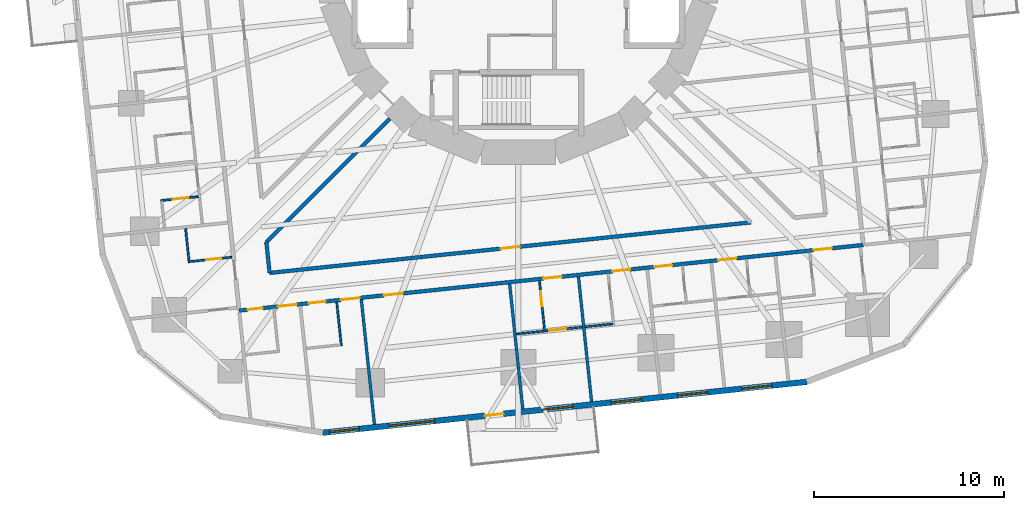
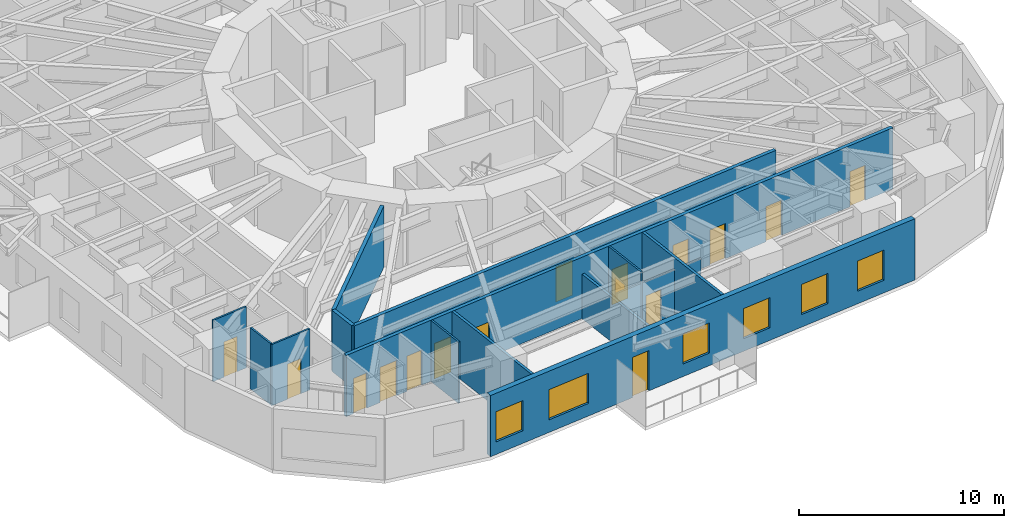
# One storey, part 5 of 15: 16 doors, 16 walls, 6 windows, 22 openings.
"""IFC4 building model written with IfcOpenShell, lengths in metres."""

from ifc_helpers import new_model, si_unit, direction, frame, frame_2d, origin, place, context, subcontext, project, spatial, rectangle, extrude, material, layer, layer_set, type_object, element, fill, save


model = new_model("IFC4")

# Units and contexts
model_context = context("Model", 3, precision=1e-05, world=origin(), true_north=direction((0.0, 1.0)))
body_context = subcontext(model_context, "Body", "Model", "MODEL_VIEW")
ifc_project = project(units=[si_unit("LENGTHUNIT", "METRE"), si_unit("AREAUNIT", "SQUARE_METRE"), si_unit("VOLUMEUNIT", "CUBIC_METRE"), si_unit("PLANEANGLEUNIT", "RADIAN"), si_unit("MASSUNIT", "GRAM", prefix="KILO")], contexts=[model_context])

# Site, building, storey
site_placement = place(None, origin())
site = spatial("IfcSite", under=ifc_project, at=site_placement, CompositionType="ELEMENT")
building_placement = place(site_placement, origin())
building = spatial("IfcBuilding", under=site, at=building_placement, Name="Nakasero Lantern House", CompositionType="ELEMENT")
storey_placement = place(building_placement, frame((0.0, 0.0, 72.050048828125)))
storey = spatial("IfcBuildingStorey", under=building, at=storey_placement, Name="L17", CompositionType="ELEMENT", Elevation=72.050048828125)

# Wall, openings, doors
ifc_material_1 = material(Name="Blockwork", Category="masonry")
ifc_layer_1 = layer(ifc_material_1, 0.199951171875)
ifc_layer_set_1 = layer_set([ifc_layer_1], Name="Corridor wall 200")
wall_type_1 = type_object("IfcWallType", Name="Corridor wall 200", PredefinedType="PARTITIONING", material=ifc_layer_set_1)
wall_1_placement = place(storey_placement, frame((-14.684814453125, -18.13427734375, 0.0), z_axis=(0.0, 0.0, 1.0), x_axis=(0.994521777723, 0.10452958258, 0.0)))
wall_1 = element("IfcWall", 1, at=wall_1_placement, inside=storey, type_object=wall_type_1, Name="Corridor wall L17 CW3", PredefinedType="PARTITIONING", context=body_context, shape_type="SweptSolid", body=[
    extrude(rectangle(XDim=32.999755859375, YDim=0.199951171875, at=frame_2d((16.5, 0.0))), origin(), (0.0, 0.0, 1.0), 3.64990234375),
])
opening_1_placement = place(wall_1_placement, frame((0.449951171875, 0.0, 0.0)))
opening_1 = element("IfcOpeningElement", 2, at=opening_1_placement, cuts=wall_1, Name="Opening D15", PredefinedType="OPENING", context=body_context, shape_type="SweptSolid", body=[
    extrude(rectangle(XDim=0.800048828125, YDim=2.10009765625, at=frame_2d((0.39990234375, 1.050048828125))), frame((0.0, 0.119873046875, 0.0), z_axis=(0.0, -1.0, 0.0), x_axis=(1.0, 0.0, 0.0)), (0.0, 0.0, 1.0), 0.239990234375),
])
opening_2_placement = place(wall_1_placement, frame((2.050048828125, 0.0, 0.0)))
opening_2 = element("IfcOpeningElement", 3, at=opening_2_placement, cuts=wall_1, Name="Opening D07", PredefinedType="OPENING", context=body_context, shape_type="SweptSolid", body=[
    extrude(rectangle(XDim=1.0, YDim=2.10009765625, at=frame_2d((0.5, 1.050048828125))), frame((0.0, 0.119873046875, 0.0), z_axis=(0.0, -1.0, 0.0), x_axis=(1.0, 0.0, 0.0)), (0.0, 0.0, 1.0), 0.239990234375),
])
opening_3_placement = place(wall_1_placement, frame((3.67529296875, 0.0, 0.0)))
opening_3 = element("IfcOpeningElement", 4, at=opening_3_placement, cuts=wall_1, Name="Opening D16", PredefinedType="OPENING", context=body_context, shape_type="SweptSolid", body=[
    extrude(rectangle(XDim=0.89990234375, YDim=2.10009765625, at=frame_2d((0.449951171875, 1.050048828125))), frame((0.0, 0.119873046875, 0.0), z_axis=(0.0, -1.0, 0.0), x_axis=(1.0, 0.0, 0.0)), (0.0, 0.0, 1.0), 0.239990234375),
])
opening_4_placement = place(wall_1_placement, frame((5.375244140625, 0.0, 0.0)))
opening_4 = element("IfcOpeningElement", 5, at=opening_4_placement, cuts=wall_1, Name="Opening D07", PredefinedType="OPENING", context=body_context, shape_type="SweptSolid", body=[
    extrude(rectangle(XDim=1.0, YDim=2.10009765625, at=frame_2d((0.5, 1.050048828125))), frame((0.0, 0.119873046875, 0.0), z_axis=(0.0, -1.0, 0.0), x_axis=(1.0, 0.0, 0.0)), (0.0, 0.0, 1.0), 0.239990234375),
])
opening_5_placement = place(wall_1_placement, frame((16.0927734375, 0.0, 0.0)))
opening_5 = element("IfcOpeningElement", 6, at=opening_5_placement, cuts=wall_1, Name="Opening D01", PredefinedType="OPENING", context=body_context, shape_type="SweptSolid", body=[
    extrude(rectangle(XDim=0.949951171875, YDim=2.10009765625, at=frame_2d((0.47509765625, 1.050048828125))), frame((0.0, 0.119873046875, 0.0), z_axis=(0.0, -1.0, 0.0), x_axis=(1.0, 0.0, 0.0)), (0.0, 0.0, 1.0), 0.239990234375),
])
opening_6_placement = place(wall_1_placement, frame((19.7314453125, 0.0, 0.0)))
opening_6 = element("IfcOpeningElement", 7, at=opening_6_placement, cuts=wall_1, Name="Opening D01", PredefinedType="OPENING", context=body_context, shape_type="SweptSolid", body=[
    extrude(rectangle(XDim=0.949951171875, YDim=2.10009765625, at=frame_2d((0.47509765625, 1.050048828125))), frame((0.0, 0.119873046875, 0.0), z_axis=(0.0, -1.0, 0.0), x_axis=(1.0, 0.0, 0.0)), (0.0, 0.0, 1.0), 0.239990234375),
])
opening_7_placement = place(wall_1_placement, frame((21.945068359375, 0.0, 0.0)))
opening_7 = element("IfcOpeningElement", 8, at=opening_7_placement, cuts=wall_1, Name="Opening D01", PredefinedType="OPENING", context=body_context, shape_type="SweptSolid", body=[
    extrude(rectangle(XDim=0.949951171875, YDim=2.10009765625, at=frame_2d((0.47509765625, 1.050048828125))), frame((0.0, 0.119873046875, 0.0), z_axis=(0.0, -1.0, 0.0), x_axis=(1.0, 0.0, 0.0)), (0.0, 0.0, 1.0), 0.239990234375),
])
opening_8_placement = place(wall_1_placement, frame((25.33056640625, 0.0, 0.0)))
opening_8 = element("IfcOpeningElement", 9, at=opening_8_placement, cuts=wall_1, Name="Opening D01", PredefinedType="OPENING", context=body_context, shape_type="SweptSolid", body=[
    extrude(rectangle(XDim=0.949951171875, YDim=2.10009765625, at=frame_2d((0.47509765625, 1.050048828125))), frame((0.0, 0.119873046875, 0.0), z_axis=(0.0, -1.0, 0.0), x_axis=(1.0, 0.0, 0.0)), (0.0, 0.0, 1.0), 0.239990234375),
])
opening_9_placement = place(wall_1_placement, frame((30.39111328125, 0.0, 0.0)))
opening_9 = element("IfcOpeningElement", 10, at=opening_9_placement, cuts=wall_1, Name="Opening D01", PredefinedType="OPENING", context=body_context, shape_type="SweptSolid", body=[
    extrude(rectangle(XDim=0.949951171875, YDim=2.10009765625, at=frame_2d((0.47509765625, 1.050048828125))), frame((0.0, 0.119873046875, 0.0), z_axis=(0.0, -1.0, 0.0), x_axis=(1.0, 0.0, 0.0)), (0.0, 0.0, 1.0), 0.239990234375),
])
opening_10_placement = place(wall_1_placement, frame((7.650634765625, 0.0, 0.0)))
opening_10 = element("IfcOpeningElement", 11, at=opening_10_placement, cuts=wall_1, Name="Opening D03", PredefinedType="OPENING", context=body_context, shape_type="SweptSolid", body=[
    extrude(rectangle(XDim=1.0, YDim=2.10009765625, at=frame_2d((0.5, 1.050048828125))), frame((0.0, 0.119873046875, 0.0), z_axis=(0.0, -1.0, 0.0), x_axis=(1.0, 0.0, 0.0)), (0.0, 0.0, 1.0), 0.239990234375),
])
ifc_material_2 = material(Name="Timber C24", Category="wood")
door_type_1 = type_object("IfcDoorType", Name="Accessible WC door 900", OperationType="SINGLE_SWING_RIGHT", PredefinedType="DOOR", material=ifc_material_2)
door_1_placement = place(opening_3_placement, origin())
door_1 = element("IfcDoor", 12, at=door_1_placement, inside=storey, type_object=door_type_1, Name="Door L17 DS3-01", OperationType="SINGLE_SWING_LEFT", OverallHeight=2.10009765625, OverallWidth=0.89990234375, PredefinedType="DOOR", context=body_context, shape_type="SweptSolid", body=[
    extrude(rectangle(XDim=0.89990234375, YDim=2.10009765625, at=frame_2d((0.449951171875, 1.050048828125))), frame((0.0, 0.02490234375, 0.0), z_axis=(0.0, -1.0, 0.0), x_axis=(1.0, 0.0, 0.0)), (0.0, 0.0, 1.0), 0.050048828125),
])
fill(opening_3, door_1)
ifc_material_3 = material(Name="Timber C24", Category="wood")
door_type_2 = type_object("IfcDoorType", Name="Bedroom door FD30S 950", OperationType="SINGLE_SWING_LEFT", PredefinedType="DOOR", material=ifc_material_3)
door_2_placement = place(opening_5_placement, origin())
door_2 = element("IfcDoor", 13, at=door_2_placement, inside=storey, type_object=door_type_2, Name="Door L17 D3-04", OperationType="SINGLE_SWING_RIGHT", OverallHeight=2.10009765625, OverallWidth=0.949951171875, PredefinedType="DOOR", context=body_context, shape_type="SweptSolid", body=[
    extrude(rectangle(XDim=0.949951171875, YDim=2.10009765625, at=frame_2d((0.47509765625, 1.050048828125))), frame((0.0, 0.02490234375, 0.0), z_axis=(0.0, -1.0, 0.0), x_axis=(1.0, 0.0, 0.0)), (0.0, 0.0, 1.0), 0.050048828125),
])
fill(opening_5, door_2)
door_3_placement = place(opening_6_placement, origin())
door_3 = element("IfcDoor", 14, at=door_3_placement, inside=storey, type_object=door_type_2, Name="Door L17 D3-05", OperationType="SINGLE_SWING_RIGHT", OverallHeight=2.10009765625, OverallWidth=0.949951171875, PredefinedType="DOOR", context=body_context, shape_type="SweptSolid", body=[
    extrude(rectangle(XDim=0.949951171875, YDim=2.10009765625, at=frame_2d((0.47509765625, 1.050048828125))), frame((0.0, 0.02490234375, 0.0), z_axis=(0.0, -1.0, 0.0), x_axis=(1.0, 0.0, 0.0)), (0.0, 0.0, 1.0), 0.050048828125),
])
fill(opening_6, door_3)
door_4_placement = place(opening_7_placement, origin())
door_4 = element("IfcDoor", 15, at=door_4_placement, inside=storey, type_object=door_type_2, Name="Door L17 D3-06", OperationType="SINGLE_SWING_RIGHT", OverallHeight=2.10009765625, OverallWidth=0.949951171875, PredefinedType="DOOR", context=body_context, shape_type="SweptSolid", body=[
    extrude(rectangle(XDim=0.949951171875, YDim=2.10009765625, at=frame_2d((0.47509765625, 1.050048828125))), frame((0.0, 0.02490234375, 0.0), z_axis=(0.0, -1.0, 0.0), x_axis=(1.0, 0.0, 0.0)), (0.0, 0.0, 1.0), 0.050048828125),
])
fill(opening_7, door_4)
door_5_placement = place(opening_8_placement, origin())
door_5 = element("IfcDoor", 16, at=door_5_placement, inside=storey, type_object=door_type_2, Name="Door L17 D3-07", OperationType="SINGLE_SWING_RIGHT", OverallHeight=2.10009765625, OverallWidth=0.949951171875, PredefinedType="DOOR", context=body_context, shape_type="SweptSolid", body=[
    extrude(rectangle(XDim=0.949951171875, YDim=2.10009765625, at=frame_2d((0.47509765625, 1.050048828125))), frame((0.0, 0.02490234375, 0.0), z_axis=(0.0, -1.0, 0.0), x_axis=(1.0, 0.0, 0.0)), (0.0, 0.0, 1.0), 0.050048828125),
])
fill(opening_8, door_5)
door_6_placement = place(opening_9_placement, origin())
door_6 = element("IfcDoor", 17, at=door_6_placement, inside=storey, type_object=door_type_2, Name="Door L17 D3-08", OperationType="SINGLE_SWING_RIGHT", OverallHeight=2.10009765625, OverallWidth=0.949951171875, PredefinedType="DOOR", context=body_context, shape_type="SweptSolid", body=[
    extrude(rectangle(XDim=0.949951171875, YDim=2.10009765625, at=frame_2d((0.47509765625, 1.050048828125))), frame((0.0, 0.02490234375, 0.0), z_axis=(0.0, -1.0, 0.0), x_axis=(1.0, 0.0, 0.0)), (0.0, 0.0, 1.0), 0.050048828125),
])
fill(opening_9, door_6)
ifc_material_4 = material(Name="Timber C24", Category="wood")
door_type_3 = type_object("IfcDoorType", Name="Cleaner's store door FD30S 800", OperationType="SINGLE_SWING_LEFT", PredefinedType="DOOR", material=ifc_material_4)
door_7_placement = place(opening_1_placement, origin())
door_7 = element("IfcDoor", 18, at=door_7_placement, inside=storey, type_object=door_type_3, Name="Door L17 DS3-00", OperationType="SINGLE_SWING_LEFT", OverallHeight=2.10009765625, OverallWidth=0.800048828125, PredefinedType="DOOR", context=body_context, shape_type="SweptSolid", body=[
    extrude(rectangle(XDim=0.800048828125, YDim=2.10009765625, at=frame_2d((0.39990234375, 1.050048828125))), frame((0.0, 0.02490234375, 0.0), z_axis=(0.0, -1.0, 0.0), x_axis=(1.0, 0.0, 0.0)), (0.0, 0.0, 1.0), 0.050048828125),
])
fill(opening_1, door_7)
ifc_material_5 = material(Name="Timber C24", Category="wood")
door_type_4 = type_object("IfcDoorType", Name="Lounge door FD30S 1000", OperationType="SINGLE_SWING_LEFT", PredefinedType="DOOR", material=ifc_material_5)
door_8_placement = place(opening_10_placement, origin())
door_8 = element("IfcDoor", 19, at=door_8_placement, inside=storey, type_object=door_type_4, Name="Door L17 DK3", OperationType="SINGLE_SWING_LEFT", OverallHeight=2.10009765625, OverallWidth=1.0, PredefinedType="DOOR", context=body_context, shape_type="SweptSolid", body=[
    extrude(rectangle(XDim=1.0, YDim=2.10009765625, at=frame_2d((0.5, 1.050048828125))), frame((0.0, 0.02490234375, 0.0), z_axis=(0.0, -1.0, 0.0), x_axis=(1.0, 0.0, 0.0)), (0.0, 0.0, 1.0), 0.050048828125),
])
fill(opening_10, door_8)
ifc_material_6 = material(Name="Timber C24", Category="wood")
door_type_5 = type_object("IfcDoorType", Name="Room door FD30S 1000", OperationType="SINGLE_SWING_LEFT", PredefinedType="DOOR", material=ifc_material_6)
door_9_placement = place(opening_2_placement, origin())
door_9 = element("IfcDoor", 20, at=door_9_placement, inside=storey, type_object=door_type_5, Name="Door L17 D3-00", OperationType="SINGLE_SWING_LEFT", OverallHeight=2.10009765625, OverallWidth=1.0, PredefinedType="DOOR", context=body_context, shape_type="SweptSolid", body=[
    extrude(rectangle(XDim=1.0, YDim=2.10009765625, at=frame_2d((0.5, 1.050048828125))), frame((0.0, 0.02490234375, 0.0), z_axis=(0.0, -1.0, 0.0), x_axis=(1.0, 0.0, 0.0)), (0.0, 0.0, 1.0), 0.050048828125),
])
fill(opening_2, door_9)
door_10_placement = place(opening_4_placement, origin())
door_10 = element("IfcDoor", 21, at=door_10_placement, inside=storey, type_object=door_type_5, Name="Door L17 D3-01", OperationType="SINGLE_SWING_LEFT", OverallHeight=2.10009765625, OverallWidth=1.0, PredefinedType="DOOR", context=body_context, shape_type="SweptSolid", body=[
    extrude(rectangle(XDim=1.0, YDim=2.10009765625, at=frame_2d((0.5, 1.050048828125))), frame((0.0, 0.02490234375, 0.0), z_axis=(0.0, -1.0, 0.0), x_axis=(1.0, 0.0, 0.0)), (0.0, 0.0, 1.0), 0.050048828125),
])
fill(opening_4, door_10)

# Wall
wall_2_placement = place(storey_placement, frame((-13.254150390625, -14.52685546875, 0.0), z_axis=(0.0, 0.0, 1.0), x_axis=(0.104475313001, -0.99452748025, 0.0)))
element("IfcWall", 22, at=wall_2_placement, inside=storey, type_object=wall_type_1, Name="Corridor wall L17 IW2-1", PredefinedType="PARTITIONING", context=body_context, shape_type="SweptSolid", body=[
    extrude(rectangle(XDim=1.63818359375, YDim=0.199951171875, at=frame_2d((0.819091796875, 0.0))), origin(), (0.0, 0.0, 1.0), 3.64990234375),
])

# Wall, opening, door
wall_3_placement = place(storey_placement, frame((-13.0830078125, -16.156005859375, 0.0), z_axis=(0.0, 0.0, 1.0), x_axis=(0.994522473358, 0.104522963916, 0.0)))
wall_3 = element("IfcWall", 23, at=wall_3_placement, inside=storey, type_object=wall_type_1, Name="Corridor wall L17 IW3-0", PredefinedType="PARTITIONING", context=body_context, shape_type="SweptSolid", body=[
    extrude(rectangle(XDim=25.44580078125, YDim=0.199951171875, at=frame_2d((12.722900390625, 0.0))), origin(), (0.0, 0.0, 1.0), 3.64990234375),
])
opening_11_placement = place(wall_3_placement, frame((12.222900390625, 0.0, 0.0)))
opening_11 = element("IfcOpeningElement", 24, at=opening_11_placement, cuts=wall_3, Name="Opening D07", PredefinedType="OPENING", context=body_context, shape_type="SweptSolid", body=[
    extrude(rectangle(XDim=1.0, YDim=2.10009765625, at=frame_2d((0.5, 1.050048828125))), frame((0.0, 0.119873046875, 0.0), z_axis=(0.0, -1.0, 0.0), x_axis=(1.0, 0.0, 0.0)), (0.0, 0.0, 1.0), 0.239990234375),
])
door_11_placement = place(opening_11_placement, origin())
door_11 = element("IfcDoor", 25, at=door_11_placement, inside=storey, type_object=door_type_5, Name="Door L17 DI3", OperationType="SINGLE_SWING_RIGHT", OverallHeight=2.10009765625, OverallWidth=1.0, PredefinedType="DOOR", context=body_context, shape_type="SweptSolid", body=[
    extrude(rectangle(XDim=1.0, YDim=2.10009765625, at=frame_2d((0.5, 1.050048828125))), frame((0.0, 0.02490234375, 0.0), z_axis=(0.0, -1.0, 0.0), x_axis=(1.0, 0.0, 0.0)), (0.0, 0.0, 1.0), 0.050048828125),
])
fill(opening_11, door_11)

# Wall
wall_4_placement = place(storey_placement, frame((-6.758544921875, -8.03125, 0.0), z_axis=(0.0, 0.0, 1.0), x_axis=(-0.707106781187, -0.707106781187, 0.0)))
element("IfcWall", 26, at=wall_4_placement, inside=storey, type_object=wall_type_1, Name="Corridor wall L17 PS10a", PredefinedType="PARTITIONING", context=body_context, shape_type="SweptSolid", body=[
    extrude(rectangle(XDim=9.186279296875, YDim=0.199951171875, at=frame_2d((4.59326171875, 0.0))), origin(), (0.0, 0.0, 1.0), 3.64990234375),
])

# Wall, opening, door
ifc_material_7 = material(Name="Blockwork", Category="masonry")
ifc_layer_2 = layer(ifc_material_7, 0.10009765625)
ifc_layer_set_2 = layer_set([ifc_layer_2], Name="En-suite wall 100")
wall_type_2 = type_object("IfcWallType", Name="En-suite wall 100", PredefinedType="PARTITIONING", material=ifc_layer_set_2)
wall_5_placement = place(storey_placement, frame((-16.822998046875, -12.14111328125, 0.0), z_axis=(0.0, 0.0, 1.0), x_axis=(-0.99452550138, -0.104494148666, 0.0)))
wall_5 = element("IfcWall", 27, at=wall_5_placement, inside=storey, type_object=wall_type_2, Name="En-suite wall L17 ES2-07", PredefinedType="PARTITIONING", context=body_context, shape_type="SweptSolid", body=[
    extrude(rectangle(XDim=2.0, YDim=0.10009765625, at=frame_2d((1.0, 0.0))), origin(), (0.0, 0.0, 1.0), 3.64990234375),
])
opening_12_placement = place(wall_5_placement, frame((0.550048828125, 0.0, 0.0)))
opening_12 = element("IfcOpeningElement", 28, at=opening_12_placement, cuts=wall_5, Name="Opening D02", PredefinedType="OPENING", context=body_context, shape_type="SweptSolid", body=[
    extrude(rectangle(XDim=0.800048828125, YDim=2.10009765625, at=frame_2d((0.39990234375, 1.050048828125))), frame((0.0, 0.070068359375, 0.0), z_axis=(0.0, -1.0, 0.0), x_axis=(1.0, 0.0, 0.0)), (0.0, 0.0, 1.0), 0.14013671875),
])
ifc_material_8 = material(Name="Timber C24", Category="wood")
door_type_6 = type_object("IfcDoorType", Name="En-suite door 800", OperationType="SINGLE_SWING_RIGHT", PredefinedType="DOOR", material=ifc_material_8)
door_12_placement = place(opening_12_placement, origin())
door_12 = element("IfcDoor", 29, at=door_12_placement, inside=storey, type_object=door_type_6, Name="Door L17 DE2-07", OperationType="SINGLE_SWING_LEFT", OverallHeight=2.10009765625, OverallWidth=0.800048828125, PredefinedType="DOOR", context=body_context, shape_type="SweptSolid", body=[
    extrude(rectangle(XDim=0.800048828125, YDim=2.10009765625, at=frame_2d((0.39990234375, 1.050048828125))), frame((0.0, 0.02490234375, 0.0), z_axis=(0.0, -1.0, 0.0), x_axis=(1.0, 0.0, 0.0)), (0.0, 0.0, 1.0), 0.050048828125),
])
fill(opening_12, door_12)

wall_6_placement = place(storey_placement, frame((-15.08056640625, -15.326416015625, 0.0), z_axis=(0.0, 0.0, 1.0), x_axis=(-0.994518822602, -0.104557694553, 0.0)))
wall_6 = element("IfcWall", 30, at=wall_6_placement, inside=storey, type_object=wall_type_2, Name="En-suite wall L17 ES2-08", PredefinedType="PARTITIONING", context=body_context, shape_type="SweptSolid", body=[
    extrude(rectangle(XDim=2.300048828125, YDim=0.10009765625, at=frame_2d((1.14990234375, 0.0))), origin(), (0.0, 0.0, 1.0), 3.64990234375),
])
opening_13_placement = place(wall_6_placement, frame((0.550048828125, 0.0, 0.0)))
opening_13 = element("IfcOpeningElement", 31, at=opening_13_placement, cuts=wall_6, Name="Opening D02", PredefinedType="OPENING", context=body_context, shape_type="SweptSolid", body=[
    extrude(rectangle(XDim=0.800048828125, YDim=2.10009765625, at=frame_2d((0.39990234375, 1.050048828125))), frame((0.0, 0.070068359375, 0.0), z_axis=(0.0, -1.0, 0.0), x_axis=(1.0, 0.0, 0.0)), (0.0, 0.0, 1.0), 0.14013671875),
])
door_13_placement = place(opening_13_placement, origin())
door_13 = element("IfcDoor", 32, at=door_13_placement, inside=storey, type_object=door_type_6, Name="Door L17 DE2-08", OperationType="SINGLE_SWING_LEFT", OverallHeight=2.10009765625, OverallWidth=0.800048828125, PredefinedType="DOOR", context=body_context, shape_type="SweptSolid", body=[
    extrude(rectangle(XDim=0.800048828125, YDim=2.10009765625, at=frame_2d((0.39990234375, 1.050048828125))), frame((0.0, 0.02490234375, 0.0), z_axis=(0.0, -1.0, 0.0), x_axis=(1.0, 0.0, 0.0)), (0.0, 0.0, 1.0), 0.050048828125),
])
fill(opening_13, door_13)

# Walls
wall_7_placement = place(storey_placement, frame((-17.501220703125, -13.8212890625, 0.0), z_axis=(0.0, 0.0, 1.0), x_axis=(0.104550220202, -0.994519608382, 0.0)))
element("IfcWall", 33, at=wall_7_placement, inside=storey, type_object=wall_type_2, Name="En-suite wall L17 EE2-08", PredefinedType="PARTITIONING", context=body_context, shape_type="SweptSolid", body=[
    extrude(rectangle(XDim=1.699951171875, YDim=0.10009765625, at=frame_2d((0.85009765625, 0.0))), origin(), (0.0, 0.0, 1.0), 3.64990234375),
])
wall_8_placement = place(storey_placement, frame((-9.55224609375, -17.6953125, 0.0), z_axis=(0.0, 0.0, 1.0), x_axis=(0.104441677364, -0.994531013106, 0.0)))
element("IfcWall", 34, at=wall_8_placement, inside=storey, type_object=wall_type_2, Name="En-suite wall L17 ES3-01", PredefinedType="PARTITIONING", context=body_context, shape_type="SweptSolid", body=[
    extrude(rectangle(XDim=2.30029296875, YDim=0.10009765625, at=frame_2d((1.150146484375, 0.0))), origin(), (0.0, 0.0, 1.0), 3.64990234375),
])

# Wall, opening, door
wall_9_placement = place(storey_placement, frame((1.1064453125, -16.5751953125, 0.0), z_axis=(0.0, 0.0, 1.0), x_axis=(0.104534153452, -0.994521297289, 0.0)))
wall_9 = element("IfcWall", 35, at=wall_9_placement, inside=storey, type_object=wall_type_2, Name="En-suite wall L17 ES3-04", PredefinedType="PARTITIONING", context=body_context, shape_type="SweptSolid", body=[
    extrude(rectangle(XDim=2.699951171875, YDim=0.10009765625, at=frame_2d((1.35009765625, 0.0))), origin(), (0.0, 0.0, 1.0), 3.64990234375),
])
opening_14_placement = place(wall_9_placement, frame((0.550048828125, 0.0, 0.0)))
opening_14 = element("IfcOpeningElement", 36, at=opening_14_placement, cuts=wall_9, Name="Opening D02", PredefinedType="OPENING", context=body_context, shape_type="SweptSolid", body=[
    extrude(rectangle(XDim=0.800048828125, YDim=2.10009765625, at=frame_2d((0.39990234375, 1.050048828125))), frame((0.0, 0.070068359375, 0.0), z_axis=(0.0, -1.0, 0.0), x_axis=(1.0, 0.0, 0.0)), (0.0, 0.0, 1.0), 0.14013671875),
])
door_14_placement = place(opening_14_placement, origin())
door_14 = element("IfcDoor", 37, at=door_14_placement, inside=storey, type_object=door_type_6, Name="Door L17 DE3-04", OperationType="SINGLE_SWING_LEFT", OverallHeight=2.10009765625, OverallWidth=0.800048828125, PredefinedType="DOOR", context=body_context, shape_type="SweptSolid", body=[
    extrude(rectangle(XDim=0.800048828125, YDim=2.10009765625, at=frame_2d((0.39990234375, 1.050048828125))), frame((0.0, 0.02490234375, 0.0), z_axis=(0.0, -1.0, 0.0), x_axis=(1.0, 0.0, 0.0)), (0.0, 0.0, 1.0), 0.050048828125),
])
fill(opening_14, door_14)

# Walls
for number, where, z_axis, x_axis, name in (
    (38, (-0.1083984375, -19.367431640625, 0.0), (0.0, 0.0, 1.0), (0.994519282274, 0.10455332221, 0.0), "En-suite wall L17 EE3-04"),
    (39, (3.51025390625, -18.987060546875, 0.0), (0.0, 0.0, 1.0), (0.994519282274, 0.10455332221, 0.0), "En-suite wall L17 EE3-05"),
):
    element("IfcWall", number, at=place(storey_placement, frame(where, z_axis=z_axis, x_axis=x_axis)), inside=storey, type_object=wall_type_2, Name=name, PredefinedType="PARTITIONING", context=body_context, shape_type="SweptSolid", body=[
        extrude(rectangle(XDim=1.4501953125, YDim=0.10009765625, at=frame_2d((0.72509765625, 0.0))), origin(), (0.0, 0.0, 1.0), 2.95703125),
    ])

# Wall, opening, door
wall_10_placement = place(storey_placement, frame((1.43310546875, -19.205322265625, 0.0), z_axis=(0.0, 0.0, 1.0), x_axis=(0.994522002013, 0.10452744861, 0.0)))
wall_10 = element("IfcWall", 40, at=wall_10_placement, inside=storey, type_object=wall_type_2, Name="En-suite wall L17 EL3-04", PredefinedType="PARTITIONING", context=body_context, shape_type="SweptSolid", body=[
    extrude(rectangle(XDim=1.9384765625, YDim=0.10009765625, at=frame_2d((0.96923828125, 0.0))), origin(), (0.0, 0.0, 1.0), 2.95703125),
])
opening_15_placement = place(wall_10_placement, frame((0.199951171875, 0.0, 0.0)))
opening_15 = element("IfcOpeningElement", 41, at=opening_15_placement, cuts=wall_10, Name="Opening D17", PredefinedType="OPENING", context=body_context, shape_type="SweptSolid", body=[
    extrude(rectangle(XDim=0.89990234375, YDim=2.10009765625, at=frame_2d((0.449951171875, 1.050048828125))), frame((0.0, 0.070068359375, 0.0), z_axis=(0.0, -1.0, 0.0), x_axis=(1.0, 0.0, 0.0)), (0.0, 0.0, 1.0), 0.14013671875),
])
ifc_material_9 = material(Name="Timber C24", Category="wood")
door_type_7 = type_object("IfcDoorType", Name="Bedroom door FD30S 900", OperationType="SINGLE_SWING_LEFT", PredefinedType="DOOR", material=ifc_material_9)
door_15_placement = place(opening_15_placement, origin())
door_15 = element("IfcDoor", 42, at=door_15_placement, inside=storey, type_object=door_type_7, Name="Door L17 DL3-04", OperationType="SINGLE_SWING_LEFT", OverallHeight=2.10009765625, OverallWidth=0.89990234375, PredefinedType="DOOR", context=body_context, shape_type="SweptSolid", body=[
    extrude(rectangle(XDim=0.89990234375, YDim=2.10009765625, at=frame_2d((0.449951171875, 1.050048828125))), frame((0.0, 0.02490234375, 0.0), z_axis=(0.0, -1.0, 0.0), x_axis=(1.0, 0.0, 0.0)), (0.0, 0.0, 1.0), 0.050048828125),
])
fill(opening_15, door_15)

# Wall, openings, door, windows
ifc_material_10 = material(Name="Aluminium rainscreen on blockwork", Category="masonry")
ifc_layer_3 = layer(ifc_material_10, 0.300048828125)
ifc_layer_set_3 = layer_set([ifc_layer_3], Name="Facade wall 300")
wall_type_3 = type_object("IfcWallType", Name="Facade wall 300", PredefinedType="SOLIDWALL", material=ifc_layer_set_3)
wall_11_placement = place(storey_placement, frame((-10.2890625, -24.56005859375, 0.0), z_axis=(0.0, 0.0, 1.0), x_axis=(0.994521483895, 0.104532378096, 0.0)))
wall_11 = element("IfcWall", 43, at=wall_11_placement, inside=storey, type_object=wall_type_3, Name="Facade wall L17 FW3S", PredefinedType="SOLIDWALL", context=body_context, shape_type="SweptSolid", body=[
    extrude(rectangle(XDim=25.599853515625, YDim=0.300048828125, at=frame_2d((12.7998046875, 0.0))), origin(), (0.0, 0.0, 1.0), 3.64990234375),
])
opening_16_placement = place(wall_11_placement, frame((0.337890625, 0.0, 0.75)))
opening_16 = element("IfcOpeningElement", 44, at=opening_16_placement, cuts=wall_11, Name="Opening W01", PredefinedType="OPENING", context=body_context, shape_type="SweptSolid", body=[
    extrude(rectangle(XDim=1.60009765625, YDim=1.800048828125, at=frame_2d((0.800048828125, 0.89990234375))), frame((0.0, 0.169921875, 0.0), z_axis=(0.0, -1.0, 0.0), x_axis=(1.0, 0.0, 0.0)), (0.0, 0.0, 1.0), 0.340087890625),
])
opening_17_placement = place(wall_11_placement, frame((11.612060546875, 0.0, 0.75)))
opening_17 = element("IfcOpeningElement", 45, at=opening_17_placement, cuts=wall_11, Name="Opening W01", PredefinedType="OPENING", context=body_context, shape_type="SweptSolid", body=[
    extrude(rectangle(XDim=1.60009765625, YDim=1.800048828125, at=frame_2d((0.800048828125, 0.89990234375))), frame((0.0, 0.169921875, 0.0), z_axis=(0.0, -1.0, 0.0), x_axis=(1.0, 0.0, 0.0)), (0.0, 0.0, 1.0), 0.340087890625),
])
opening_18_placement = place(wall_11_placement, frame((15.250732421875, 0.0, 0.75)))
opening_18 = element("IfcOpeningElement", 46, at=opening_18_placement, cuts=wall_11, Name="Opening W01", PredefinedType="OPENING", context=body_context, shape_type="SweptSolid", body=[
    extrude(rectangle(XDim=1.60009765625, YDim=1.800048828125, at=frame_2d((0.800048828125, 0.89990234375))), frame((0.0, 0.169921875, 0.0), z_axis=(0.0, -1.0, 0.0), x_axis=(1.0, 0.0, 0.0)), (0.0, 0.0, 1.0), 0.340087890625),
])
opening_19_placement = place(wall_11_placement, frame((18.7626953125, 0.0, 0.75)))
opening_19 = element("IfcOpeningElement", 47, at=opening_19_placement, cuts=wall_11, Name="Opening W01", PredefinedType="OPENING", context=body_context, shape_type="SweptSolid", body=[
    extrude(rectangle(XDim=1.60009765625, YDim=1.800048828125, at=frame_2d((0.800048828125, 0.89990234375))), frame((0.0, 0.169921875, 0.0), z_axis=(0.0, -1.0, 0.0), x_axis=(1.0, 0.0, 0.0)), (0.0, 0.0, 1.0), 0.340087890625),
])
opening_20_placement = place(wall_11_placement, frame((22.1484375, 0.0, 0.75)))
opening_20 = element("IfcOpeningElement", 48, at=opening_20_placement, cuts=wall_11, Name="Opening W01", PredefinedType="OPENING", context=body_context, shape_type="SweptSolid", body=[
    extrude(rectangle(XDim=1.60009765625, YDim=1.800048828125, at=frame_2d((0.800048828125, 0.89990234375))), frame((0.0, 0.169921875, 0.0), z_axis=(0.0, -1.0, 0.0), x_axis=(1.0, 0.0, 0.0)), (0.0, 0.0, 1.0), 0.340087890625),
])
opening_21_placement = place(wall_11_placement, frame((3.51123046875, 0.0, 0.75)))
opening_21 = element("IfcOpeningElement", 49, at=opening_21_placement, cuts=wall_11, Name="Opening W03", PredefinedType="OPENING", context=body_context, shape_type="SweptSolid", body=[
    extrude(rectangle(XDim=2.39990234375, YDim=1.800048828125, at=frame_2d((1.199951171875, 0.89990234375))), frame((0.0, 0.169921875, 0.0), z_axis=(0.0, -1.0, 0.0), x_axis=(1.0, 0.0, 0.0)), (0.0, 0.0, 1.0), 0.340087890625),
])
opening_22_placement = place(wall_11_placement, frame((8.558837890625, 0.0, 0.0)))
opening_22 = element("IfcOpeningElement", 50, at=opening_22_placement, cuts=wall_11, Name="Opening D04", PredefinedType="OPENING", context=body_context, shape_type="SweptSolid", body=[
    extrude(rectangle(XDim=1.0, YDim=2.39990234375, at=frame_2d((0.5, 1.199951171875))), frame((0.0, 0.169921875, 0.0), z_axis=(0.0, -1.0, 0.0), x_axis=(1.0, 0.0, 0.0)), (0.0, 0.0, 1.0), 0.340087890625),
])
ifc_material_11 = material(Name="Aluminium 6063-T6 and glass", Category="aluminium")
door_type_8 = type_object("IfcDoorType", Name="Balcony door 1000x2400", OperationType="SINGLE_SWING_RIGHT", PredefinedType="DOOR", material=ifc_material_11)
door_16_placement = place(opening_22_placement, origin())
door_16 = element("IfcDoor", 51, at=door_16_placement, inside=storey, type_object=door_type_8, Name="Balcony door L17 DB3", OperationType="SINGLE_SWING_RIGHT", OverallHeight=2.39990234375, OverallWidth=1.0, PredefinedType="DOOR", context=body_context, shape_type="SweptSolid", body=[
    extrude(rectangle(XDim=1.0, YDim=2.39990234375, at=frame_2d((0.5, 1.199951171875))), frame((0.0, 0.02490234375, 0.0), z_axis=(0.0, -1.0, 0.0), x_axis=(1.0, 0.0, 0.0)), (0.0, 0.0, 1.0), 0.050048828125),
])
fill(opening_22, door_16)
ifc_material_12 = material(Name="Aluminium 6063-T6 and glass", Category="aluminium")
window_type_1 = type_object("IfcWindowType", Name="Bedroom window 1600x1800", PartitioningType="SINGLE_PANEL", PredefinedType="WINDOW", material=ifc_material_12)
window_1_placement = place(opening_16_placement, origin())
window_1 = element("IfcWindow", 52, at=window_1_placement, inside=storey, type_object=window_type_1, Name="Window L17 WN3-01", OverallHeight=1.800048828125, OverallWidth=1.60009765625, PartitioningType="SINGLE_PANEL", PredefinedType="WINDOW", context=body_context, shape_type="SweptSolid", body=[
    extrude(rectangle(XDim=1.60009765625, YDim=1.800048828125, at=frame_2d((0.800048828125, 0.89990234375))), frame((0.0, 0.030029296875, 0.0), z_axis=(0.0, -1.0, 0.0), x_axis=(1.0, 0.0, 0.0)), (0.0, 0.0, 1.0), 0.06005859375),
])
fill(opening_16, window_1)
window_2_placement = place(opening_17_placement, origin())
window_2 = element("IfcWindow", 53, at=window_2_placement, inside=storey, type_object=window_type_1, Name="Window L17 WN3-04", OverallHeight=1.800048828125, OverallWidth=1.60009765625, PartitioningType="SINGLE_PANEL", PredefinedType="WINDOW", context=body_context, shape_type="SweptSolid", body=[
    extrude(rectangle(XDim=1.60009765625, YDim=1.800048828125, at=frame_2d((0.800048828125, 0.89990234375))), frame((0.0, 0.030029296875, 0.0), z_axis=(0.0, -1.0, 0.0), x_axis=(1.0, 0.0, 0.0)), (0.0, 0.0, 1.0), 0.06005859375),
])
fill(opening_17, window_2)
window_3_placement = place(opening_18_placement, origin())
window_3 = element("IfcWindow", 54, at=window_3_placement, inside=storey, type_object=window_type_1, Name="Window L17 WN3-05", OverallHeight=1.800048828125, OverallWidth=1.60009765625, PartitioningType="SINGLE_PANEL", PredefinedType="WINDOW", context=body_context, shape_type="SweptSolid", body=[
    extrude(rectangle(XDim=1.60009765625, YDim=1.800048828125, at=frame_2d((0.800048828125, 0.89990234375))), frame((0.0, 0.030029296875, 0.0), z_axis=(0.0, -1.0, 0.0), x_axis=(1.0, 0.0, 0.0)), (0.0, 0.0, 1.0), 0.06005859375),
])
fill(opening_18, window_3)
window_4_placement = place(opening_19_placement, origin())
window_4 = element("IfcWindow", 55, at=window_4_placement, inside=storey, type_object=window_type_1, Name="Window L17 WN3-06", OverallHeight=1.800048828125, OverallWidth=1.60009765625, PartitioningType="SINGLE_PANEL", PredefinedType="WINDOW", context=body_context, shape_type="SweptSolid", body=[
    extrude(rectangle(XDim=1.60009765625, YDim=1.800048828125, at=frame_2d((0.800048828125, 0.89990234375))), frame((0.0, 0.030029296875, 0.0), z_axis=(0.0, -1.0, 0.0), x_axis=(1.0, 0.0, 0.0)), (0.0, 0.0, 1.0), 0.06005859375),
])
fill(opening_19, window_4)
window_5_placement = place(opening_20_placement, origin())
window_5 = element("IfcWindow", 56, at=window_5_placement, inside=storey, type_object=window_type_1, Name="Window L17 WN3-07", OverallHeight=1.800048828125, OverallWidth=1.60009765625, PartitioningType="SINGLE_PANEL", PredefinedType="WINDOW", context=body_context, shape_type="SweptSolid", body=[
    extrude(rectangle(XDim=1.60009765625, YDim=1.800048828125, at=frame_2d((0.800048828125, 0.89990234375))), frame((0.0, 0.030029296875, 0.0), z_axis=(0.0, -1.0, 0.0), x_axis=(1.0, 0.0, 0.0)), (0.0, 0.0, 1.0), 0.06005859375),
])
fill(opening_20, window_5)
ifc_material_13 = material(Name="Aluminium 6063-T6 and glass", Category="aluminium")
window_type_2 = type_object("IfcWindowType", Name="Lounge window 2400x1800", PartitioningType="SINGLE_PANEL", PredefinedType="WINDOW", material=ifc_material_13)
window_6_placement = place(opening_21_placement, origin())
window_6 = element("IfcWindow", 57, at=window_6_placement, inside=storey, type_object=window_type_2, Name="Window L17 WK3", OverallHeight=1.800048828125, OverallWidth=2.39990234375, PartitioningType="SINGLE_PANEL", PredefinedType="WINDOW", context=body_context, shape_type="SweptSolid", body=[
    extrude(rectangle(XDim=2.39990234375, YDim=1.800048828125, at=frame_2d((1.199951171875, 0.89990234375))), frame((0.0, 0.030029296875, 0.0), z_axis=(0.0, -1.0, 0.0), x_axis=(1.0, 0.0, 0.0)), (0.0, 0.0, 1.0), 0.06005859375),
])
fill(opening_21, window_6)

# Walls
ifc_material_14 = material(Name="Blockwork", Category="masonry")
ifc_layer_4 = layer(ifc_material_14, 0.14990234375)
ifc_layer_set_4 = layer_set([ifc_layer_4], Name="Party wall 150")
wall_type_4 = type_object("IfcWallType", Name="Party wall 150", PredefinedType="PARTITIONING", material=ifc_layer_set_4)
wall_12_placement = place(storey_placement, frame((-8.25927734375, -17.5595703125, 0.0), z_axis=(0.0, 0.0, 1.0), x_axis=(0.104538438287, -0.994520846901, 0.0)))
element("IfcWall", 58, at=wall_12_placement, inside=storey, type_object=wall_type_4, Name="Party wall L17 PW3-02", PredefinedType="PARTITIONING", context=body_context, shape_type="SweptSolid", body=[
    extrude(rectangle(XDim=6.599853515625, YDim=0.14990234375, at=frame_2d((3.2998046875, 0.0))), origin(), (0.0, 0.0, 1.0), 3.64990234375),
])
wall_13_placement = place(storey_placement, frame((-0.4599609375, -16.73974609375, 0.0), z_axis=(0.0, 0.0, 1.0), x_axis=(0.104534592565, -0.994521251134, 0.0)))
element("IfcWall", 59, at=wall_13_placement, inside=storey, type_object=wall_type_4, Name="Party wall L17 PW3-04", PredefinedType="PARTITIONING", context=body_context, shape_type="SweptSolid", body=[
    extrude(rectangle(XDim=6.60009765625, YDim=0.14990234375, at=frame_2d((3.300048828125, 0.0))), origin(), (0.0, 0.0, 1.0), 2.650146484375),
])
wall_14_placement = place(storey_placement, frame((3.15869140625, -16.359375, 0.0), z_axis=(0.0, 0.0, 1.0), x_axis=(0.104534592565, -0.994521251134, 0.0)))
element("IfcWall", 60, at=wall_14_placement, inside=storey, type_object=wall_type_4, Name="Party wall L17 PW3-05", PredefinedType="PARTITIONING", context=body_context, shape_type="SweptSolid", body=[
    extrude(rectangle(XDim=6.60009765625, YDim=0.14990234375, at=frame_2d((3.300048828125, 0.0))), origin(), (0.0, 0.0, 1.0), 3.64990234375),
])

save(model, "model.ifc")
